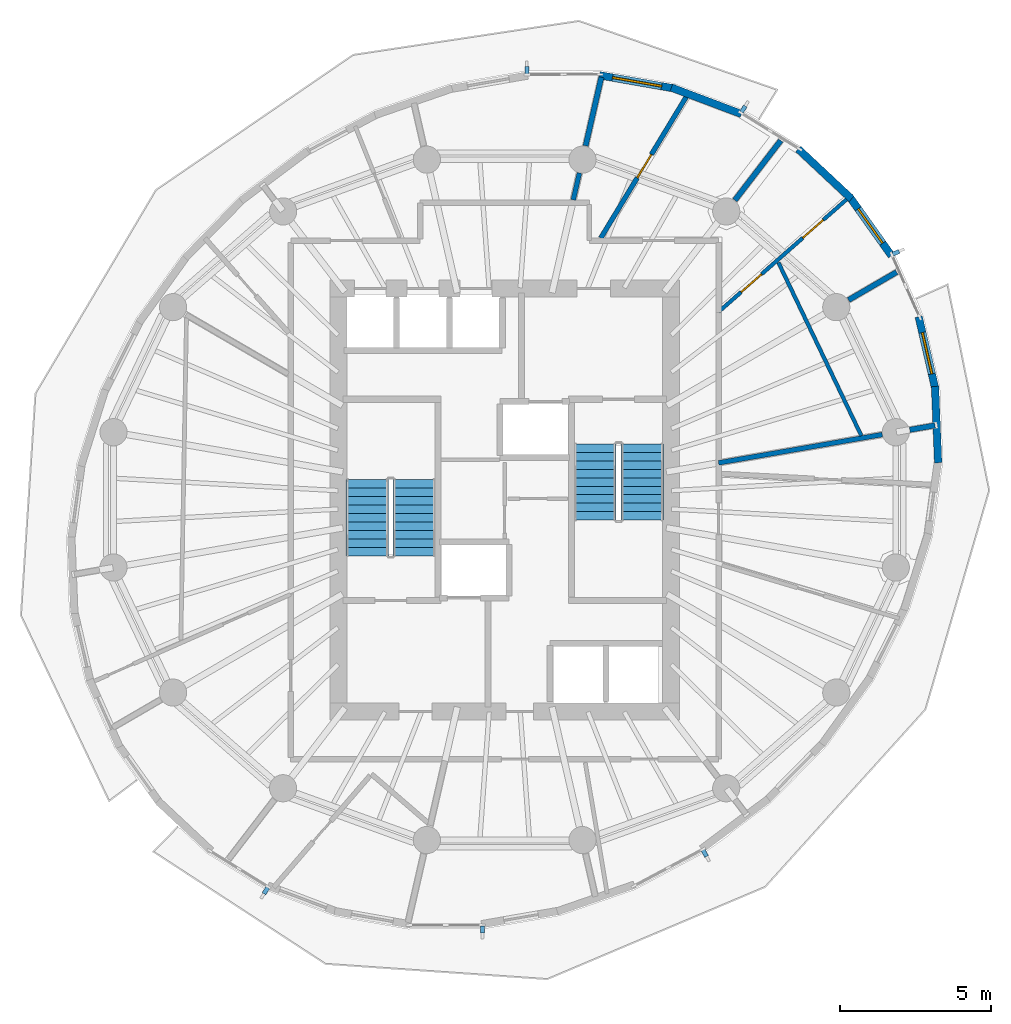
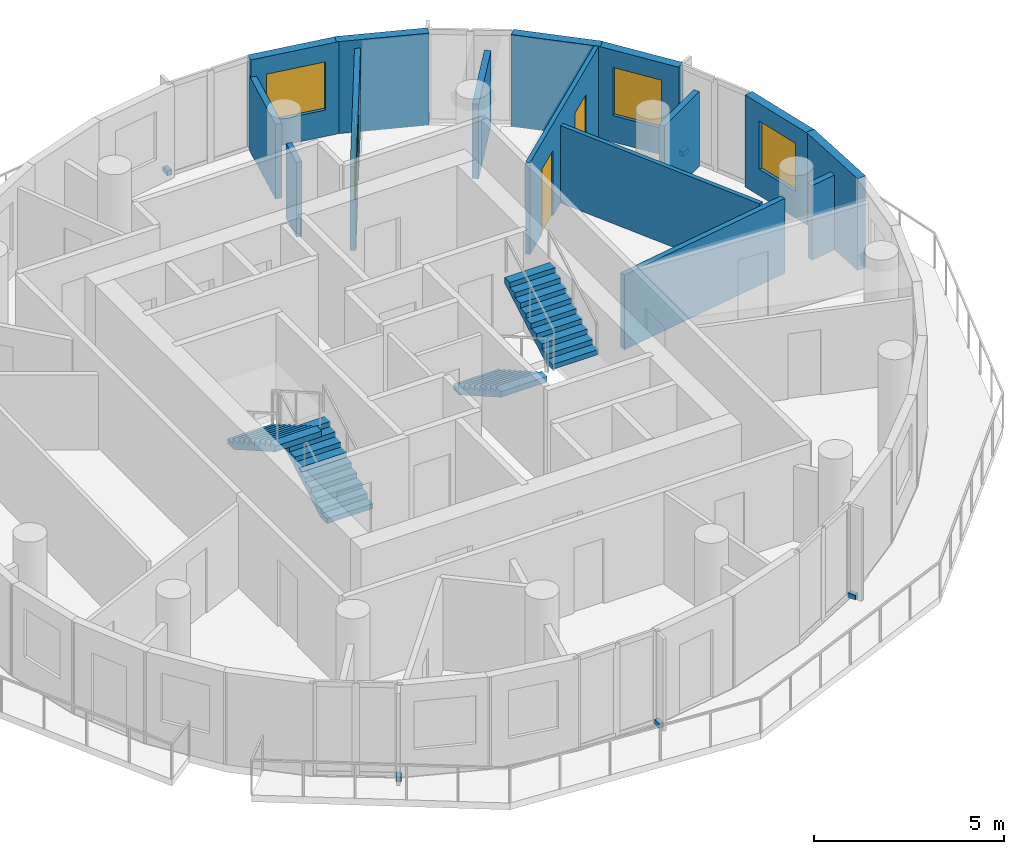
# One storey, part 7 of 10: 15 walls, 6 discrete accessories, 4 stair flights, 3 doors, 3 windows, 6 openings, 2 elements without a shape of their own.
"""IFC4 building model written with IfcOpenShell, lengths in metres."""

from ifc_helpers import new_model, si_unit, direction, frame, frame_2d, origin, origin_2d, place, context, subcontext, project, spatial, polyline, rectangle, outline, extrude, material, layer, layer_set, type_object, element, fill, aggregate, save


model = new_model("IFC4")

# Units and contexts
model_context = context("Model", 3, precision=1e-05, world=origin(), true_north=direction((0.0, 1.0)))
body_context = subcontext(model_context, "Body", "Model", "MODEL_VIEW")
ifc_project = project(units=[si_unit("LENGTHUNIT", "METRE"), si_unit("AREAUNIT", "SQUARE_METRE"), si_unit("VOLUMEUNIT", "CUBIC_METRE"), si_unit("PLANEANGLEUNIT", "RADIAN"), si_unit("MASSUNIT", "GRAM", prefix="KILO")], contexts=[model_context])

# Site, building, storey
site_placement = place(None, origin())
site = spatial("IfcSite", under=ifc_project, at=site_placement, CompositionType="ELEMENT")
building_placement = place(site_placement, origin())
building = spatial("IfcBuilding", under=site, at=building_placement, Name="Veldorim Arch Residences", CompositionType="ELEMENT")
storey_placement = place(building_placement, frame((0.0, 0.0, 169.43994140625)))
storey = spatial("IfcBuildingStorey", under=building, at=storey_placement, Name="L50", CompositionType="ELEMENT", Elevation=169.43994140625)

# Wall, openings, doors
ifc_material_1 = material(Name="Acoustic Gypsum Board", Category="gypsum")
ifc_layer_1 = layer(ifc_material_1, 0.125, Name="Acoustic Stud Room Partition Wall 125")
ifc_layer_set_1 = layer_set([ifc_layer_1], Name="Acoustic Gypsum Board")
wall_type_1 = type_object("IfcWallType", Name="Acoustic Stud Room Partition Wall 125", PredefinedType="PARTITIONING", material=ifc_layer_set_1)
wall_1_placement = place(storey_placement, frame((43.39990234375, 34.016845703125, 0.0), z_axis=(0.0, 0.0, 1.0), x_axis=(-0.751212741732, -0.660060161394, 0.0)))
wall_1 = element("IfcWall", 1, at=wall_1_placement, inside=storey, type_object=wall_type_1, Name="L50 interior wall WL-RES-L50-018", PredefinedType="PARTITIONING", context=body_context, shape_type="SweptSolid", body=[
    extrude(rectangle(XDim=5.75048828125, YDim=0.125, at=frame_2d((2.875244140625, 0.0))), origin(), (0.0, 0.0, 1.0), 2.955078125),
])
opening_1_placement = place(wall_1_placement, frame((1.141357421875, 0.0, 0.0)))
opening_1 = element("IfcOpeningElement", 2, at=opening_1_placement, cuts=wall_1, Name="Opening DR-INT", PredefinedType="OPENING", context=body_context, shape_type="SweptSolid", body=[
    extrude(rectangle(XDim=0.89990234375, YDim=2.10009765625, at=frame_2d((0.449951171875, 1.050048828125))), frame((0.0, 0.072509765625, 0.0), z_axis=(0.0, -1.0, 0.0), x_axis=(1.0, 0.0, 0.0)), (0.0, 0.0, 1.0), 0.14501953125),
])
opening_2_placement = place(wall_1_placement, frame((3.856201171875, 0.0, 0.0)))
opening_2 = element("IfcOpeningElement", 3, at=opening_2_placement, cuts=wall_1, Name="Opening DR-INT", PredefinedType="OPENING", context=body_context, shape_type="SweptSolid", body=[
    extrude(rectangle(XDim=0.89990234375, YDim=2.10009765625, at=frame_2d((0.449951171875, 1.050048828125))), frame((0.0, 0.072509765625, 0.0), z_axis=(0.0, -1.0, 0.0), x_axis=(1.0, 0.0, 0.0)), (0.0, 0.0, 1.0), 0.14501953125),
])
ifc_material_2 = material(Name="Engineered Timber", Category="wood")
door_type_1 = type_object("IfcDoorType", Name="Apartment Internal Room Timber Door 900x2100", OperationType="SINGLE_SWING_LEFT", PredefinedType="DOOR", material=ifc_material_2)
door_1_placement = place(opening_1_placement, origin())
door_1 = element("IfcDoor", 4, at=door_1_placement, inside=storey, type_object=door_type_1, Name="L50 interior door DR-RES-L50-008", OperationType="SINGLE_SWING_RIGHT", OverallHeight=2.10009765625, OverallWidth=0.89990234375, PredefinedType="DOOR", context=body_context, shape_type="SweptSolid", body=[
    extrude(rectangle(XDim=0.89990234375, YDim=2.10009765625, at=frame_2d((0.449951171875, 1.050048828125))), frame((0.0, 0.02490234375, 0.0), z_axis=(0.0, -1.0, 0.0), x_axis=(1.0, 0.0, 0.0)), (0.0, 0.0, 1.0), 0.050048828125),
])
fill(opening_1, door_1)
door_2_placement = place(opening_2_placement, origin())
door_2 = element("IfcDoor", 5, at=door_2_placement, inside=storey, type_object=door_type_1, Name="L50 interior door DR-RES-L50-009", OperationType="SINGLE_SWING_LEFT", OverallHeight=2.10009765625, OverallWidth=0.89990234375, PredefinedType="DOOR", context=body_context, shape_type="SweptSolid", body=[
    extrude(rectangle(XDim=0.89990234375, YDim=2.10009765625, at=frame_2d((0.449951171875, 1.050048828125))), frame((0.0, 0.02490234375, 0.0), z_axis=(0.0, -1.0, 0.0), x_axis=(1.0, 0.0, 0.0)), (0.0, 0.0, 1.0), 0.050048828125),
])
fill(opening_2, door_2)

# Walls
wall_2_placement = place(storey_placement, frame((43.806396484375, 26.12060546875, 0.0), z_axis=(0.0, 0.0, 1.0), x_axis=(-0.431903618355, 0.901919766083, 0.0)))
element("IfcWall", 6, at=wall_2_placement, inside=storey, type_object=wall_type_1, Name="L50 interior wall WL-RES-L50-020", PredefinedType="PARTITIONING", context=body_context, shape_type="SweptSolid", body=[
    extrude(rectangle(XDim=6.36083984375, YDim=0.125, at=frame_2d((3.180419921875, 0.0))), origin(), (0.0, 0.0, 1.0), 2.488037109375),
])
ifc_material_3 = material(Name="Lightweight Masonry Block & Gypsum", Category="masonry")
ifc_layer_2 = layer(ifc_material_3, 0.179931640625, Name="Compartment & Corridor Fire-Rated Party Wall 180")
ifc_layer_set_2 = layer_set([ifc_layer_2], Name="Lightweight Masonry Block & Gypsum")
wall_type_2 = type_object("IfcWallType", Name="Compartment & Corridor Fire-Rated Party Wall 180", PredefinedType="PARTITIONING", material=ifc_layer_set_2)
wall_3_placement = place(storey_placement, frame((45.409423828125, 26.319580078125, 0.0), z_axis=(0.0, 0.0, 1.0), x_axis=(0.985336508055, 0.170622290144, 0.0)))
element("IfcWall", 7, at=wall_3_placement, inside=storey, type_object=wall_type_2, Name="L50 interior wall WL-PIER-L50-01", PredefinedType="PARTITIONING", context=body_context, shape_type="SweptSolid", body=[
    extrude(rectangle(XDim=0.845703125, YDim=0.179931640625, at=frame_2d((0.4228515625, 0.0))), origin(), (0.0, 0.0, 1.0), 2.403564453125),
])
wall_4_placement = place(storey_placement, frame((43.3818359375, 30.614013671875, 0.0), z_axis=(0.0, 0.0, 1.0), x_axis=(0.864604991586, 0.502452195264, 0.0)))
element("IfcWall", 8, at=wall_4_placement, inside=storey, type_object=wall_type_2, Name="L50 interior wall WL-PIER-L50-02", PredefinedType="PARTITIONING", context=body_context, shape_type="SweptSolid", body=[
    extrude(rectangle(XDim=1.841064453125, YDim=0.179931640625, at=frame_2d((0.92041015625, 0.0))), origin(), (0.0, 0.0, 1.0), 2.403564453125),
])
wall_5_placement = place(storey_placement, frame((39.619873046875, 33.91796875, 0.0), z_axis=(0.0, 0.0, 1.0), x_axis=(0.609279402228, 0.792955616678, 0.0)))
element("IfcWall", 9, at=wall_5_placement, inside=storey, type_object=wall_type_2, Name="L50 interior wall WL-PIER-L50-03", PredefinedType="PARTITIONING", context=body_context, shape_type="SweptSolid", body=[
    extrude(rectangle(XDim=2.489501953125, YDim=0.179931640625, at=frame_2d((1.24462890625, 0.0))), origin(), (0.0, 0.0, 1.0), 2.403564453125),
])
wall_6_placement = place(storey_placement, frame((34.679931640625, 35.717529296875, 0.0), z_axis=(0.0, 0.0, 1.0), x_axis=(0.222998449778, 0.974818799263, 0.0)))
element("IfcWall", 10, at=wall_6_placement, inside=storey, type_object=wall_type_2, Name="L50 interior wall WL-PIER-L50-04", PredefinedType="PARTITIONING", context=body_context, shape_type="SweptSolid", body=[
    extrude(rectangle(XDim=2.32861328125, YDim=0.179931640625, at=frame_2d((1.164306640625, 0.0))), origin(), (0.0, 0.0, 1.0), 2.403564453125),
])
ifc_material_4 = material(Name="Precast concrete C40/50", Category="concrete")
ifc_layer_3 = layer(ifc_material_4, 0.25, Name="Tower Terracotta Spandrel & Pier Wall 250")
ifc_layer_set_3 = layer_set([ifc_layer_3], Name="Precast concrete C40/50")
wall_type_3 = type_object("IfcWallType", Name="Tower Terracotta Spandrel & Pier Wall 250", PredefinedType="SOLIDWALL", material=ifc_layer_set_3)
wall_7_placement = place(storey_placement, frame((41.71826171875, 35.61083984375, 0.0), z_axis=(0.0, 0.0, 1.0), x_axis=(0.730224222865, -0.683207570465, 0.0)))
element("IfcWall", 11, at=wall_7_placement, inside=storey, type_object=wall_type_3, Name="L50 terracotta facade wall 01", PredefinedType="SOLIDWALL", context=body_context, shape_type="SweptSolid", body=[
    extrude(rectangle(XDim=2.41455078125, YDim=0.25, at=frame_2d((1.207275390625, 0.0))), origin(), (0.0, 0.0, 1.0), 2.9599609375),
])
wall_8_placement = place(storey_placement, frame((37.519287109375, 37.645263671875, 0.0), z_axis=(0.0, 0.0, 1.0), x_axis=(0.93586674787, -0.352354126172, 0.0)))
element("IfcWall", 12, at=wall_8_placement, inside=storey, type_object=wall_type_3, Name="L50 terracotta facade wall 03", PredefinedType="SOLIDWALL", context=body_context, shape_type="SweptSolid", body=[
    extrude(rectangle(XDim=2.477783203125, YDim=0.25, at=frame_2d((1.23876953125, 0.0))), origin(), (0.0, 0.0, 1.0), 2.9599609375),
])

# Wall, opening, window
wall_9_placement = place(storey_placement, frame((35.134521484375, 38.0546875, 0.0), z_axis=(0.0, 0.0, 1.0), x_axis=(0.984837873762, -0.173477267688, 0.0)))
wall_9 = element("IfcWall", 13, at=wall_9_placement, inside=storey, type_object=wall_type_3, Name="L50 terracotta facade wall 04", PredefinedType="SOLIDWALL", context=body_context, shape_type="SweptSolid", body=[
    extrude(rectangle(XDim=2.53173828125, YDim=0.25, at=frame_2d((1.265869140625, 0.0))), origin(), (0.0, 0.0, 1.0), 2.9599609375),
])
opening_3_placement = place(wall_9_placement, frame((0.44091796875, 0.0, 0.85009765625)))
opening_3 = element("IfcOpeningElement", 14, at=opening_3_placement, cuts=wall_9, Name="Opening WN-03", PredefinedType="OPENING", context=body_context, shape_type="SweptSolid", body=[
    extrude(rectangle(XDim=1.64990234375, YDim=1.550048828125, at=frame_2d((0.824951171875, 0.77490234375))), frame((0.0, 0.135009765625, 0.0), z_axis=(0.0, -1.0, 0.0), x_axis=(1.0, 0.0, 0.0)), (0.0, 0.0, 1.0), 0.27001953125),
])
ifc_material_5 = material(Name="Laminated Low-E Glass", Category="glass")
window_type_1 = type_object("IfcWindowType", Name="Residential Wide Window 1650x1550", PartitioningType="SINGLE_PANEL", PredefinedType="WINDOW", material=ifc_material_5)
window_1_placement = place(opening_3_placement, origin())
window_1 = element("IfcWindow", 15, at=window_1_placement, inside=storey, type_object=window_type_1, Name="L50 solar-control facade window 04", OverallHeight=1.550048828125, OverallWidth=1.64990234375, PartitioningType="SINGLE_PANEL", PredefinedType="WINDOW", context=body_context, shape_type="SweptSolid", body=[
    extrude(rectangle(XDim=1.64990234375, YDim=1.550048828125, at=frame_2d((0.824951171875, 0.77490234375))), frame((0.0, 0.030029296875, 0.0), z_axis=(0.0, -1.0, 0.0), x_axis=(1.0, 0.0, 0.0)), (0.0, 0.0, 1.0), 0.06005859375),
])
fill(opening_3, window_1)

# Wall
wall_10_placement = place(storey_placement, frame((46.245361328125, 27.758056640625, 0.0), z_axis=(0.0, 0.0, 1.0), x_axis=(0.040399298921, -0.999183615081, 0.0)))
element("IfcWall", 16, at=wall_10_placement, inside=storey, type_object=wall_type_3, Name="L50 terracotta facade wall 33", PredefinedType="SOLIDWALL", context=body_context, shape_type="SweptSolid", body=[
    extrude(rectangle(XDim=2.531982421875, YDim=0.25, at=frame_2d((1.26611328125, 0.0))), origin(), (0.0, 0.0, 1.0), 2.9599609375),
])

# Wall, opening, window
wall_11_placement = place(storey_placement, frame((45.705078125, 30.060791015625, 0.0), z_axis=(0.0, 0.0, 1.0), x_axis=(0.224175769227, -0.974548728639, 0.0)))
wall_11 = element("IfcWall", 17, at=wall_11_placement, inside=storey, type_object=wall_type_3, Name="L50 terracotta facade wall 34", PredefinedType="SOLIDWALL", context=body_context, shape_type="SweptSolid", body=[
    extrude(rectangle(XDim=2.4775390625, YDim=0.25, at=frame_2d((1.23876953125, 0.0))), origin(), (0.0, 0.0, 1.0), 2.9599609375),
])
opening_4_placement = place(wall_11_placement, frame((0.5390625, 0.0, 0.85009765625)))
opening_4 = element("IfcOpeningElement", 18, at=opening_4_placement, cuts=wall_11, Name="Opening WN-02", PredefinedType="OPENING", context=body_context, shape_type="SweptSolid", body=[
    extrude(rectangle(XDim=1.39990234375, YDim=1.550048828125, at=frame_2d((0.699951171875, 0.77490234375))), frame((0.0, 0.135009765625, 0.0), z_axis=(0.0, -1.0, 0.0), x_axis=(1.0, 0.0, 0.0)), (0.0, 0.0, 1.0), 0.27001953125),
])
ifc_material_6 = material(Name="Laminated Low-E Glass", Category="glass")
window_type_2 = type_object("IfcWindowType", Name="Residential Casement Window 1400x1550", PartitioningType="SINGLE_PANEL", PredefinedType="WINDOW", material=ifc_material_6)
window_2_placement = place(opening_4_placement, origin())
window_2 = element("IfcWindow", 19, at=window_2_placement, inside=storey, type_object=window_type_2, Name="L50 solar-control facade window 34", OverallHeight=1.550048828125, OverallWidth=1.39990234375, PartitioningType="SINGLE_PANEL", PredefinedType="WINDOW", context=body_context, shape_type="SweptSolid", body=[
    extrude(rectangle(XDim=1.39990234375, YDim=1.550048828125, at=frame_2d((0.699951171875, 0.77490234375))), frame((0.0, 0.030029296875, 0.0), z_axis=(0.0, -1.0, 0.0), x_axis=(1.0, 0.0, 0.0)), (0.0, 0.0, 1.0), 0.06005859375),
])
fill(opening_4, window_2)

wall_12_placement = place(storey_placement, frame((43.406005859375, 34.04736328125, 0.0), z_axis=(0.0, 0.0, 1.0), x_axis=(0.579505880656, -0.814968057217, 0.0)))
wall_12 = element("IfcWall", 20, at=wall_12_placement, inside=storey, type_object=wall_type_3, Name="L50 terracotta facade wall 36", PredefinedType="SOLIDWALL", context=body_context, shape_type="SweptSolid", body=[
    extrude(rectangle(XDim=2.414794921875, YDim=0.25, at=frame_2d((1.20751953125, 0.0))), origin(), (0.0, 0.0, 1.0), 2.9599609375),
])
opening_5_placement = place(wall_12_placement, frame((0.507080078125, 0.0, 0.85009765625)))
opening_5 = element("IfcOpeningElement", 21, at=opening_5_placement, cuts=wall_12, Name="Opening WN-02", PredefinedType="OPENING", context=body_context, shape_type="SweptSolid", body=[
    extrude(rectangle(XDim=1.39990234375, YDim=1.550048828125, at=frame_2d((0.699951171875, 0.77490234375))), frame((0.0, 0.135009765625, 0.0), z_axis=(0.0, -1.0, 0.0), x_axis=(1.0, 0.0, 0.0)), (0.0, 0.0, 1.0), 0.27001953125),
])
window_3_placement = place(opening_5_placement, origin())
window_3 = element("IfcWindow", 22, at=window_3_placement, inside=storey, type_object=window_type_2, Name="L50 solar-control facade window 36", OverallHeight=1.550048828125, OverallWidth=1.39990234375, PartitioningType="SINGLE_PANEL", PredefinedType="WINDOW", context=body_context, shape_type="SweptSolid", body=[
    extrude(rectangle(XDim=1.39990234375, YDim=1.550048828125, at=frame_2d((0.699951171875, 0.77490234375))), frame((0.0, 0.030029296875, 0.0), z_axis=(0.0, -1.0, 0.0), x_axis=(1.0, 0.0, 0.0)), (0.0, 0.0, 1.0), 0.06005859375),
])
fill(opening_5, window_3)

# Wall
ifc_material_7 = material(Name="Moisture-Resistant Gypsum & Stud", Category="gypsum")
ifc_layer_4 = layer(ifc_material_7, 0.159912109375, Name="Wet-Area Moisture-Resistant Plumbing Wall 160")
ifc_layer_set_4 = layer_set([ifc_layer_4], Name="Moisture-Resistant Gypsum & Stud")
wall_type_4 = type_object("IfcWallType", Name="Wet-Area Moisture-Resistant Plumbing Wall 160", PredefinedType="PLUMBINGWALL", material=ifc_layer_set_4)
wall_13_placement = place(storey_placement, frame((39.080078125, 25.224609375, 0.0), z_axis=(0.0, 0.0, 1.0), x_axis=(0.985359973695, 0.170486721591, 0.0)))
element("IfcWall", 23, at=wall_13_placement, inside=storey, type_object=wall_type_4, Name="L50 interior wall WL-RES-L50-016", PredefinedType="PLUMBINGWALL", context=body_context, shape_type="SweptSolid", body=[
    extrude(rectangle(XDim=5.4990234375, YDim=0.159912109375, at=frame_2d((2.74951171875, 0.0))), origin(), (0.0, 0.0, 1.0), 2.403564453125),
])

# Wall, opening, door
wall_14_placement = place(storey_placement, frame((35.18017578125, 32.66552734375, 0.0), z_axis=(0.0, 0.0, 1.0), x_axis=(0.518194743754, 0.855262654128, 0.0)))
wall_14 = element("IfcWall", 24, at=wall_14_placement, inside=storey, type_object=wall_type_4, Name="L50 interior wall WL-RES-L50-017", PredefinedType="PLUMBINGWALL", context=body_context, shape_type="SweptSolid", body=[
    extrude(rectangle(XDim=5.564208984375, YDim=0.159912109375, at=frame_2d((2.7822265625, 0.0))), origin(), (0.0, 0.0, 1.0), 2.692138671875),
])
opening_6_placement = place(wall_14_placement, frame((2.33203125, 0.0, 0.0)))
opening_6 = element("IfcOpeningElement", 25, at=opening_6_placement, cuts=wall_14, Name="Opening DR-WC", PredefinedType="OPENING", context=body_context, shape_type="SweptSolid", body=[
    extrude(rectangle(XDim=0.89990234375, YDim=2.10009765625, at=frame_2d((0.449951171875, 1.050048828125))), frame((0.0, 0.08984375, 0.0), z_axis=(0.0, -1.0, 0.0), x_axis=(1.0, 0.0, 0.0)), (0.0, 0.0, 1.0), 0.179931640625),
])
ifc_material_8 = material(Name="Laminate Timber", Category="wood")
door_type_2 = type_object("IfcDoorType", Name="Bathroom & Accessible WC Moisture-Sealed Door 900x2100", OperationType="SINGLE_SWING_LEFT", PredefinedType="DOOR", material=ifc_material_8)
door_3_placement = place(opening_6_placement, origin())
door_3 = element("IfcDoor", 26, at=door_3_placement, inside=storey, type_object=door_type_2, Name="L50 interior door DR-RES-L50-007", OperationType="SINGLE_SWING_LEFT", OverallHeight=2.10009765625, OverallWidth=0.89990234375, PredefinedType="DOOR", context=body_context, shape_type="SweptSolid", body=[
    extrude(rectangle(XDim=0.89990234375, YDim=2.10009765625, at=frame_2d((0.449951171875, 1.050048828125))), frame((0.0, 0.02490234375, 0.0), z_axis=(0.0, -1.0, 0.0), x_axis=(1.0, 0.0, 0.0)), (0.0, 0.0, 1.0), 0.050048828125),
])
fill(opening_6, door_3)

# Wall
wall_15_placement = place(storey_placement, frame((34.2705078125, 33.927490234375, 0.0), z_axis=(0.0, 0.0, 1.0), x_axis=(0.222991179816, 0.974820462303, 0.0)))
element("IfcWall", 27, at=wall_15_placement, inside=storey, type_object=wall_type_4, Name="L50 interior wall WL-RES-L50-019", PredefinedType="PLUMBINGWALL", context=body_context, shape_type="SweptSolid", body=[
    extrude(rectangle(XDim=0.91650390625, YDim=0.159912109375, at=frame_2d((0.458251953125, 0.0))), origin(), (0.0, 0.0, 1.0), 2.403564453125),
])

# Stair, stair flights
ifc_material_9 = material(Name="Concrete C40/50", Category="concrete")
stair_type = type_object("IfcStairType", Name="Reinforced Concrete Dogleg Exit Staircase", PredefinedType="HALF_TURN_STAIR", material=ifc_material_9)
stair_1_placement = place(storey_placement, origin())
stair_1 = element("IfcStair", 28, at=stair_1_placement, inside=storey, type_object=stair_type, Name="L50 Exit Staircase ST-1", PredefinedType="HALF_TURN_STAIR")
ifc_material_10 = material(Name="Concrete C40/50", Category="concrete")
stair_flight_type = type_object("IfcStairFlightType", Name="Reinforced Concrete Stair Flight 1400", PredefinedType="STRAIGHT", material=ifc_material_10)
stair_flight_1_placement = place(storey_placement, frame((29.010009765625, 22.14990234375, 0.0), z_axis=(0.0, 0.0, 1.0), x_axis=(0.0, 1.0, 0.0)))
stair_flight_1 = element("IfcStairFlight", 29, at=stair_flight_1_placement, type_object=stair_flight_type, Name="ST-1 flight 1", NumberOfRisers=10, NumberOfTreads=9, PredefinedType="STRAIGHT", RiserHeight=0.16, TreadLength=0.28, context=body_context, shape_type="SweptSolid", body=[
    extrude(outline(polyline([(0.0, 0.0), (0.0, 0.159912109375), (0.280029296875, 0.159912109375), (0.280029296875, 0.320068359375), (0.56005859375, 0.320068359375), (0.56005859375, 0.47998046875), (0.840087890625, 0.47998046875), (0.840087890625, 0.639892578125), (1.1201171875, 0.639892578125), (1.1201171875, 0.800048828125), (1.39990234375, 0.800048828125), (1.39990234375, 0.9599609375), (1.679931640625, 0.9599609375), (1.679931640625, 1.1201171875), (1.9599609375, 1.1201171875), (1.9599609375, 1.280029296875), (2.239990234375, 1.280029296875), (2.239990234375, 1.43994140625), (2.52001953125, 1.43994140625), (2.52001953125, 1.60009765625), (2.52001953125, 1.255859375), (0.322265625, 0.0), (0.0, 0.0)])), frame((0.0, 0.699951171875, 0.0), z_axis=(0.0, -1.0, 0.0), x_axis=(1.0, 0.0, 0.0)), (0.0, 0.0, 1.0), 1.39990234375),
])
stair_flight_2_placement = place(storey_placement, frame((27.449951171875, 24.669921875, 1.60009765625), z_axis=(0.0, 0.0, 1.0), x_axis=(0.0, -1.0, 0.0)))
stair_flight_2 = element("IfcStairFlight", 30, at=stair_flight_2_placement, type_object=stair_flight_type, Name="ST-1 flight 2", NumberOfRisers=10, NumberOfTreads=9, PredefinedType="STRAIGHT", RiserHeight=0.16, TreadLength=0.28, context=body_context, shape_type="SweptSolid", body=[
    extrude(outline(polyline([(0.0, 0.0), (0.0, 0.159912109375), (0.280029296875, 0.159912109375), (0.280029296875, 0.320068359375), (0.56005859375, 0.320068359375), (0.56005859375, 0.47998046875), (0.840087890625, 0.47998046875), (0.840087890625, 0.639892578125), (1.1201171875, 0.639892578125), (1.1201171875, 0.800048828125), (1.39990234375, 0.800048828125), (1.39990234375, 0.9599609375), (1.679931640625, 0.9599609375), (1.679931640625, 1.1201171875), (1.9599609375, 1.1201171875), (1.9599609375, 1.280029296875), (2.239990234375, 1.280029296875), (2.239990234375, 1.43994140625), (2.52001953125, 1.43994140625), (2.52001953125, 1.60009765625), (2.52001953125, 1.255859375), (0.322265625, 0.0), (0.0, 0.0)])), frame((0.0, 0.699951171875, 0.0), z_axis=(0.0, -1.0, 0.0), x_axis=(1.0, 0.0, 0.0)), (0.0, 0.0, 1.0), 1.39990234375),
])
aggregate(stair_1, [stair_flight_1, stair_flight_2])

stair_2_placement = place(storey_placement, origin())
stair_2 = element("IfcStair", 31, at=stair_2_placement, inside=storey, type_object=stair_type, Name="L50 Exit Staircase ST-2", PredefinedType="HALF_TURN_STAIR")
stair_flight_3_placement = place(storey_placement, frame((34.989990234375, 25.85009765625, 0.0), z_axis=(0.0, 0.0, 1.0), x_axis=(0.0, -1.0, 0.0)))
stair_flight_3 = element("IfcStairFlight", 32, at=stair_flight_3_placement, type_object=stair_flight_type, Name="ST-2 flight 1", NumberOfRisers=10, NumberOfTreads=9, PredefinedType="STRAIGHT", RiserHeight=0.16, TreadLength=0.28, context=body_context, shape_type="SweptSolid", body=[
    extrude(outline(polyline([(0.0, 0.0), (0.0, 0.159912109375), (0.280029296875, 0.159912109375), (0.280029296875, 0.320068359375), (0.56005859375, 0.320068359375), (0.56005859375, 0.47998046875), (0.840087890625, 0.47998046875), (0.840087890625, 0.639892578125), (1.1201171875, 0.639892578125), (1.1201171875, 0.800048828125), (1.39990234375, 0.800048828125), (1.39990234375, 0.9599609375), (1.679931640625, 0.9599609375), (1.679931640625, 1.1201171875), (1.9599609375, 1.1201171875), (1.9599609375, 1.280029296875), (2.239990234375, 1.280029296875), (2.239990234375, 1.43994140625), (2.52001953125, 1.43994140625), (2.52001953125, 1.60009765625), (2.52001953125, 1.255859375), (0.322265625, 0.0), (0.0, 0.0)])), frame((0.0, 0.699951171875, 0.0), z_axis=(0.0, -1.0, 0.0), x_axis=(1.0, 0.0, 0.0)), (0.0, 0.0, 1.0), 1.39990234375),
])
stair_flight_4_placement = place(storey_placement, frame((36.550048828125, 23.330078125, 1.60009765625), z_axis=(0.0, 0.0, 1.0), x_axis=(0.0, 1.0, 0.0)))
stair_flight_4 = element("IfcStairFlight", 33, at=stair_flight_4_placement, type_object=stair_flight_type, Name="ST-2 flight 2", NumberOfRisers=10, NumberOfTreads=9, PredefinedType="STRAIGHT", RiserHeight=0.16, TreadLength=0.28, context=body_context, shape_type="SweptSolid", body=[
    extrude(outline(polyline([(0.0, 0.0), (0.0, 0.159912109375), (0.280029296875, 0.159912109375), (0.280029296875, 0.320068359375), (0.56005859375, 0.320068359375), (0.56005859375, 0.47998046875), (0.840087890625, 0.47998046875), (0.840087890625, 0.639892578125), (1.1201171875, 0.639892578125), (1.1201171875, 0.800048828125), (1.39990234375, 0.800048828125), (1.39990234375, 0.9599609375), (1.679931640625, 0.9599609375), (1.679931640625, 1.1201171875), (1.9599609375, 1.1201171875), (1.9599609375, 1.280029296875), (2.239990234375, 1.280029296875), (2.239990234375, 1.43994140625), (2.52001953125, 1.43994140625), (2.52001953125, 1.60009765625), (2.52001953125, 1.255859375), (0.322265625, 0.0), (0.0, 0.0)])), frame((0.0, 0.699951171875, 0.0), z_axis=(0.0, -1.0, 0.0), x_axis=(1.0, 0.0, 0.0)), (0.0, 0.0, 1.0), 1.39990234375),
])
aggregate(stair_2, [stair_flight_3, stair_flight_4])

# Discrete accessories
ifc_material_11 = material(Name="Stainless Steel", Category="steel")
discrete_accessory_type = type_object("IfcDiscreteAccessoryType", Name="Stainless Steel Facade Fin Anchor Bracket", PredefinedType="BRACKET", material=ifc_material_11)
for number, where, z_axis, x_axis, name in (
    (34, (39.902099609375, 36.93408203125, -0.02001953125), (0.0, 0.0, 1.0), (0.850719384362, -0.52562013762, 0.0), "L50 stainless fin anchor bracket 02"),
    (35, (32.735595703125, 38.220947265625, -0.02001953125), (0.0, 0.0, 1.0), (0.999996573056, 0.002617990887, 0.0), "L50 stainless fin anchor bracket 05"),
    (36, (24.097900390625, 11.06591796875, -0.02001953125), (0.0, 0.0, 1.0), (-0.850719384362, 0.52562013762, 0.0), "L50 stainless fin anchor bracket 20"),
    (37, (31.264404296875, 9.779052734375, -0.02001953125), (0.0, 0.0, 1.0), (-0.999996573056, -0.002617990887, 0.0), "L50 stainless fin anchor bracket 23"),
    (38, (38.624755859375, 12.3046875, -0.02001953125), (0.0, 0.0, 1.0), (-0.882537565484, -0.470241901057, 0.0), "L50 stainless fin anchor bracket 26"),
    (39, (44.948974609375, 32.177490234375, -0.02001953125), (0.0, 0.0, 1.0), (0.407214918582, -0.913332365617, 0.0), "L50 stainless fin anchor bracket 35"),
):
    element("IfcDiscreteAccessory", number, at=place(storey_placement, frame(where, z_axis=z_axis, x_axis=x_axis)), inside=storey, type_object=discrete_accessory_type, Name=name, PredefinedType="BRACKET", context=body_context, shape_type="SweptSolid", body=[
        extrude(rectangle(XDim=0.139892578125, YDim=0.239990234375, at=origin_2d()), origin(), (0.0, 0.0, 1.0), 0.159912109375),
    ])

save(model, "model.ifc")
